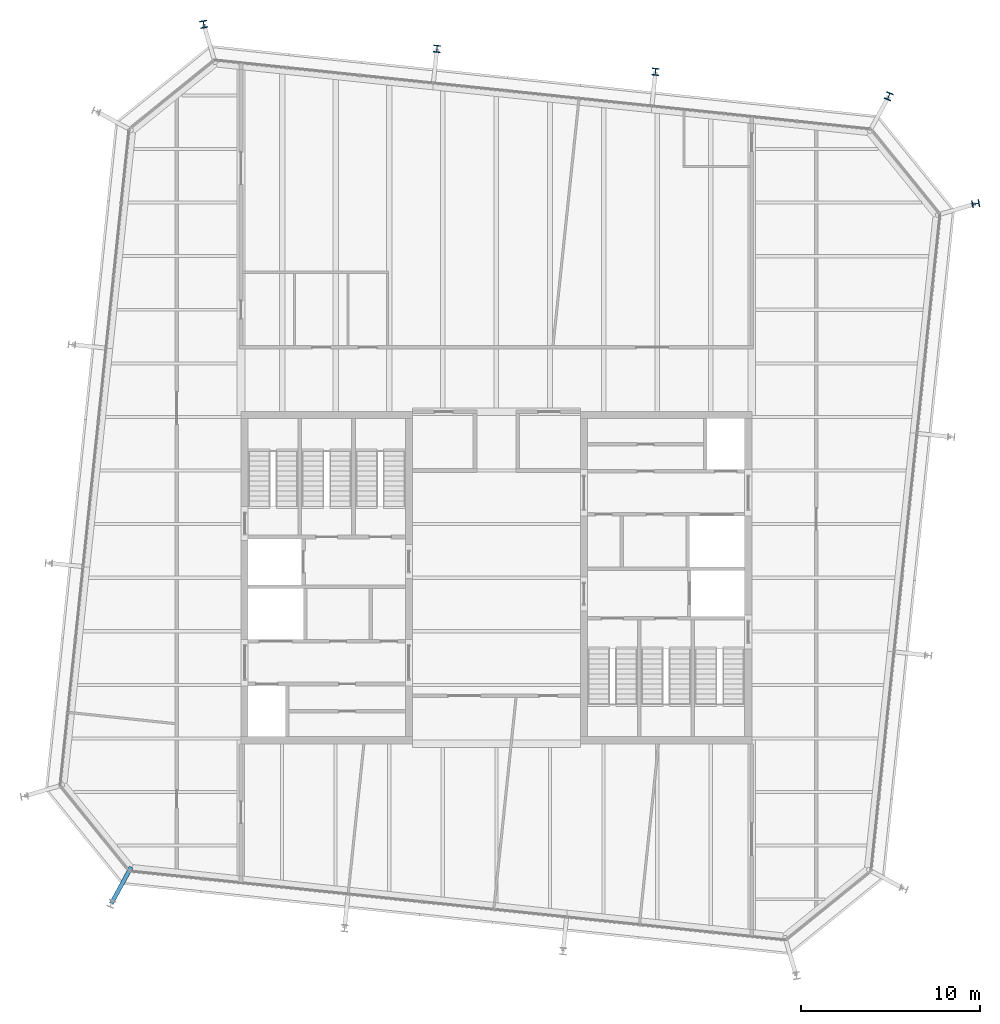
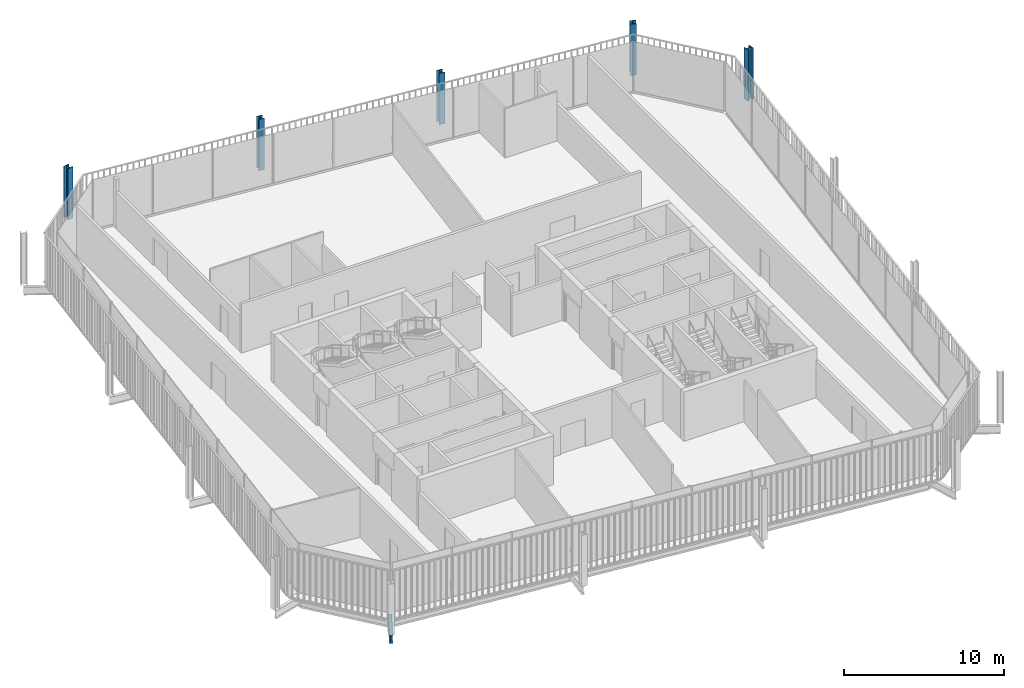
# One storey, part 2 of 20: 5 columns, 1 beam.
"""IFC4 building model written with IfcOpenShell, lengths in metres."""

from ifc_helpers import new_model, si_unit, direction, frame, origin, origin_2d, place, context, subcontext, project, spatial, i_section, extrude, material, material_profile, profile_set, type_object, element, save


model = new_model("IFC4")

# Units and contexts
model_context = context("Model", 3, precision=1e-05, world=origin(), true_north=direction((0.0, 1.0)))
body_context = subcontext(model_context, "Body", "Model", "MODEL_VIEW")
ifc_project = project(units=[si_unit("LENGTHUNIT", "METRE"), si_unit("AREAUNIT", "SQUARE_METRE"), si_unit("VOLUMEUNIT", "CUBIC_METRE"), si_unit("PLANEANGLEUNIT", "RADIAN"), si_unit("MASSUNIT", "GRAM", prefix="KILO")], contexts=[model_context])

# Site, building, storey
site_placement = place(None, origin())
site = spatial("IfcSite", under=ifc_project, at=site_placement, CompositionType="ELEMENT")
building_placement = place(site_placement, origin())
building = spatial("IfcBuilding", under=site, at=building_placement, Name="Millrace Tower", CompositionType="ELEMENT")
storey_placement = place(building_placement, frame((0.0, 0.0, 295.5)))
storey = spatial("IfcBuildingStorey", under=building, at=storey_placement, Name="L68", CompositionType="ELEMENT", Elevation=295.5)

# Columns
ifc_material_1 = material(Name="Steel ASTM A913 Grade 65", Category="steel")
ifc_material_profile_1 = material_profile(ifc_material_1, i_section(OverallWidth=0.4013671875, OverallDepth=0.398681640625, WebThickness=0.02490234375, FlangeThickness=0.03955078125, FilletRadius=0.01513671875, at=origin_2d()))
ifc_profile_set_1 = profile_set([ifc_material_profile_1], Name="Steel ASTM A913 Grade 65")
column_type_1 = type_object("IfcColumnType", Name="Exoskeleton column W14x211", PredefinedType="COLUMN", material=ifc_profile_set_1)
for number, where, z_axis, x_axis, name in (
    (1, (8.9033203125, 28.321533203125, 0.0), (0.0, 0.0, 1.0), (-0.994521897246, 0.104528445407, 0.0), "COL-E-L68-X11"),
    (2, (-3.329345703125, 29.607177734375, 0.0), (0.0, 0.0, 1.0), (-0.994521897246, 0.104528445407, 0.0), "COL-E-L68-X12"),
):
    element("IfcColumn", number, at=place(storey_placement, frame(where, z_axis=z_axis, x_axis=x_axis)), inside=storey, type_object=column_type_1, Name=name, PredefinedType="COLUMN", context=body_context, shape_type="SweptSolid", body=[
        extrude(i_section(OverallWidth=0.4013671875, OverallDepth=0.398681640625, WebThickness=0.02490234375, FlangeThickness=0.03955078125, FilletRadius=0.01513671875, at=origin_2d()), origin(), (0.0, 0.0, 1.0), 3.89990234375),
    ])
ifc_material_2 = material(Name="Steel ASTM A913 Grade 65", Category="steel")
ifc_material_profile_2 = material_profile(ifc_material_2, i_section(OverallWidth=0.406494140625, OverallDepth=0.41650390625, WebThickness=0.030029296875, FlangeThickness=0.048095703125, FilletRadius=0.01513671875, at=origin_2d()))
ifc_profile_set_2 = profile_set([ifc_material_profile_2], Name="Steel ASTM A913 Grade 65")
column_type_2 = type_object("IfcColumnType", Name="Exoskeleton column W14x257", PredefinedType="COLUMN", material=ifc_profile_set_2)
for number, where, z_axis, x_axis, name in (
    (3, (26.82958984375, 20.935791015625, 0.0), (0.0, 0.0, 1.0), (-0.18038747256, 0.983595628164, 0.0), "COL-E-L68-X09"),
    (4, (21.9599609375, 26.94921875, 0.0), (0.0, 0.0, 1.0), (-0.92459700658, 0.380946683176, 0.0), "COL-E-L68-X10"),
    (5, (-16.3857421875, 30.9794921875, 0.0), (0.0, 0.0, 1.0), (-0.983595628164, -0.18038747256, 0.0), "COL-E-L68-X13"),
):
    element("IfcColumn", number, at=place(storey_placement, frame(where, z_axis=z_axis, x_axis=x_axis)), inside=storey, type_object=column_type_2, Name=name, PredefinedType="COLUMN", context=body_context, shape_type="SweptSolid", body=[
        extrude(i_section(OverallWidth=0.406494140625, OverallDepth=0.41650390625, WebThickness=0.030029296875, FlangeThickness=0.048095703125, FilletRadius=0.01513671875, at=origin_2d()), origin(), (0.0, 0.0, 1.0), 3.89990234375),
    ])

# Beam
ifc_material_3 = material(Name="Steel ASTM A992 Grade 50", Category="steel")
ifc_material_profile_3 = material_profile(ifc_material_3, i_section(OverallWidth=0.23046875, OverallDepth=0.6171875, WebThickness=0.01318359375, FlangeThickness=0.022216796875, FilletRadius=0.012939453125, at=origin_2d()))
ifc_profile_set_3 = profile_set([ifc_material_profile_3], Name="Steel ASTM A992 Grade 50")
beam_type = type_object("IfcBeamType", Name="Link beam W24x94", PredefinedType="BEAM", material=ifc_profile_set_3)
beam_placement = place(storey_placement, frame((-20.447509765625, -16.20068359375, -0.468505859375), z_axis=(-0.477163510307, -0.87881453358, 0.0), x_axis=(0.87881453358, -0.477163510307, 0.0)))
element("IfcBeam", 6, at=beam_placement, inside=storey, type_object=beam_type, Name="LNK-E-L68-S1-16", PredefinedType="BEAM", context=body_context, shape_type="SweptSolid", body=[
    extrude(i_section(OverallWidth=0.23046875, OverallDepth=0.6171875, WebThickness=0.01318359375, FlangeThickness=0.022216796875, FilletRadius=0.012939453125, at=origin_2d()), origin(), (0.0, 0.0, 1.0), 2.3310546875),
])

save(model, "model.ifc")
